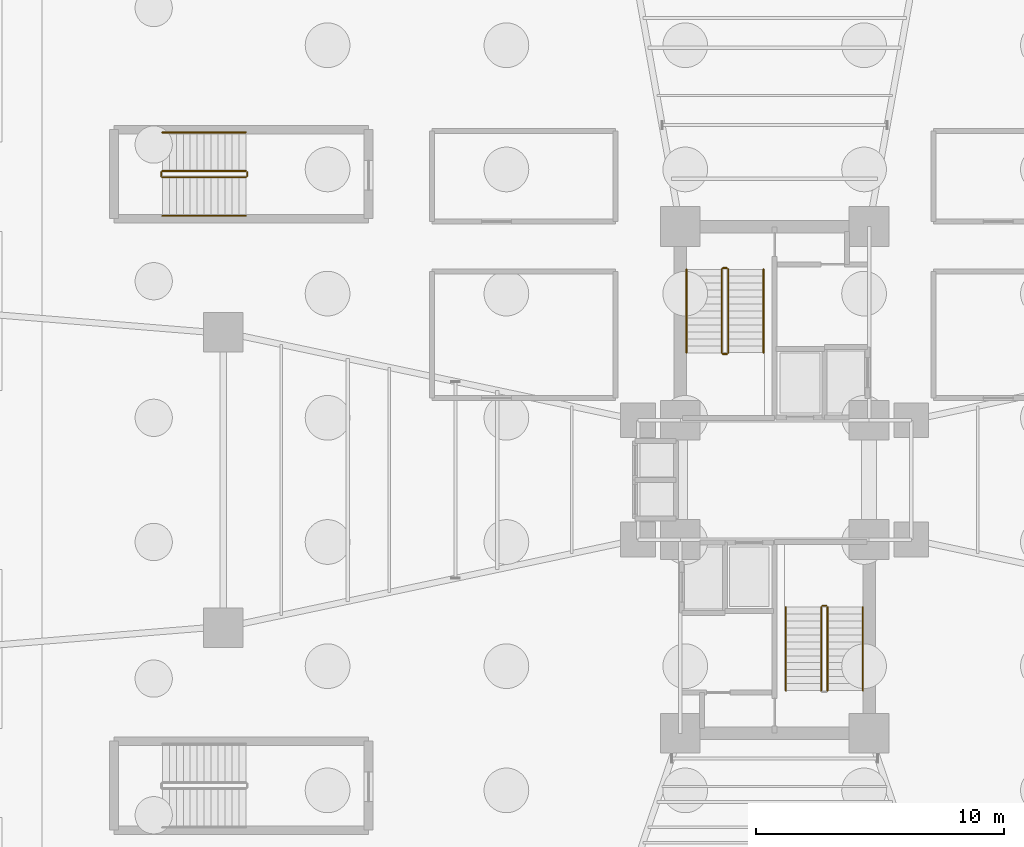
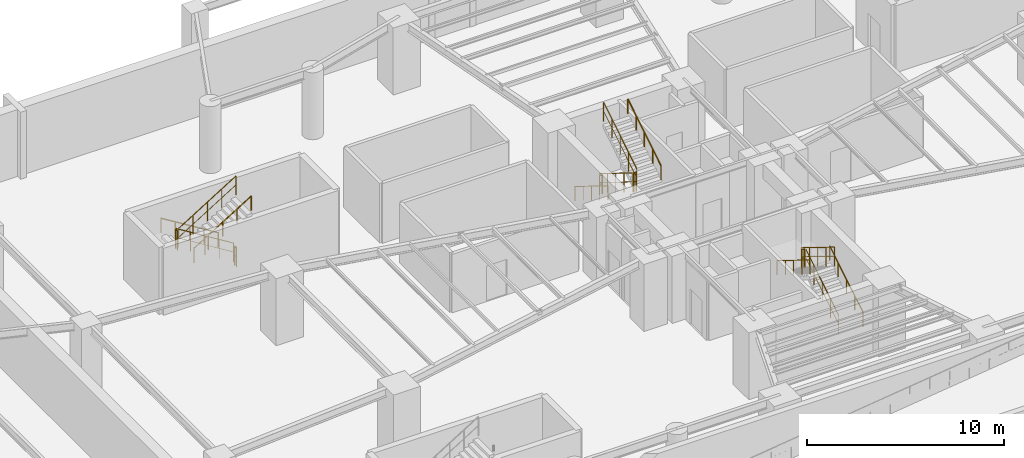
# One storey, part 13 of 15: 17 railings.
"""IFC4 building model written with IfcOpenShell, lengths in metres."""

import ifcopenshell
import ifcopenshell.guid

model = None  # the IFC model being written
_history = None  # IfcOwnerHistory: only IFC2X3 demands one
_inside = {}  # id of a spatial element -> (the spatial element, [elements in it])
_under = {}  # id of a project, library or spatial element -> (it, [spatial elements below it])
_declared = {}  # id of a project -> (the project, [libraries it declares])
_typed = {}  # id of a type object -> (the type object, [elements of that type])
_made_of = {}  # id of a material, layer set ... -> (it, [elements and type objects made of it])


def new_model(schema):
    """Start an empty IFC model of exactly this schema.

    Asked for "IFC4X3", IfcOpenShell would pick the latest addendum, in which some entities
    have other attributes; the version numbers below select the first issue.
    IFC2X3 requires an IfcOwnerHistory on every rooted entity: one is made here for all.
    """
    global model, _history
    if schema == "IFC4X3":
        model = ifcopenshell.file(schema_version=(4, 3, 0, 0))
    else:
        model = ifcopenshell.file(schema=schema)
    _inside.clear()
    _under.clear()
    _declared.clear()
    _typed.clear()
    _made_of.clear()
    _history = None
    if model.schema == "IFC2X3":
        org = make("IfcOrganization", Name="unknown")
        user = make(
            "IfcPersonAndOrganization",
            ThePerson=make("IfcPerson", FamilyName="unknown"),
            TheOrganization=org,
        )
        app = make(
            "IfcApplication",
            ApplicationDeveloper=org,
            Version="unknown",
            ApplicationFullName="unknown",
            ApplicationIdentifier="unknown",
        )
        _history = make(
            "IfcOwnerHistory",
            OwningUser=user,
            OwningApplication=app,
            ChangeAction="ADDED",
            CreationDate=0,
        )
    return model


def make(cls, **values):
    """One entity of the class cls with the attributes given. An attribute that is None is left unset."""
    return model.create_entity(
        cls, **{name: value for name, value in values.items() if value is not None}
    )


def rooted(cls, **values):
    """An entity with a GlobalId (a new one), such as an element, a storey or a relation."""
    return make(cls, GlobalId=ifcopenshell.guid.new(), OwnerHistory=_history, **values)


def si_unit(unit_type, name, prefix=None):
    """IfcSIUnit, for example si_unit("LENGTHUNIT", "METRE", prefix="MILLI")."""
    return make("IfcSIUnit", UnitType=unit_type, Prefix=prefix, Name=name)


def assignment(units):
    """IfcUnitAssignment: the units of a project."""
    return None if units is None else make("IfcUnitAssignment", Units=units)


def point(xyz):
    """IfcCartesianPoint."""
    return None if xyz is None else make("IfcCartesianPoint", Coordinates=xyz)


def direction(xyz):
    """IfcDirection."""
    return None if xyz is None else make("IfcDirection", DirectionRatios=xyz)


def frame(location, z_axis=None, x_axis=None):
    """IfcAxis2Placement3D, a coordinate frame: its origin and axes. An axis left out is left unset."""
    return make(
        "IfcAxis2Placement3D",
        Location=point(location),
        Axis=direction(z_axis),
        RefDirection=direction(x_axis),
    )


def frame_2d(location, x_axis=None):
    """IfcAxis2Placement2D, a coordinate frame in the plane: its origin and x axis."""
    return make(
        "IfcAxis2Placement2D", Location=point(location), RefDirection=direction(x_axis)
    )


def origin():
    """The frame at (0, 0, 0) with its axes left unset."""
    return frame((0.0, 0.0, 0.0))


def origin_2d():
    """The frame at (0, 0) in the plane with its x axis left unset."""
    return frame_2d((0.0, 0.0))


def place(relative_to, where):
    """IfcLocalPlacement: puts the frame where relative to a parent placement (None: the world)."""
    return make(
        "IfcLocalPlacement", PlacementRelTo=relative_to, RelativePlacement=where
    )


def context(
    kind, dimensions, precision=None, world=None, true_north=None, identifier=None
):
    """IfcGeometricRepresentationContext, for example the 3D "Model" context."""
    return make(
        "IfcGeometricRepresentationContext",
        ContextIdentifier=identifier,
        ContextType=kind,
        CoordinateSpaceDimension=dimensions,
        Precision=precision,
        WorldCoordinateSystem=world,
        TrueNorth=true_north,
    )


def subcontext(parent, identifier, kind, view, scale=None):
    """IfcGeometricRepresentationSubContext, for example "Body" below "Model"."""
    return make(
        "IfcGeometricRepresentationSubContext",
        ContextIdentifier=identifier,
        ContextType=kind,
        ParentContext=parent,
        TargetScale=scale,
        TargetView=view,
    )


def project(units=None, contexts=None):
    """IfcProject with its units and contexts."""
    return rooted(
        "IfcProject",
        Name="project",
        RepresentationContexts=contexts,
        UnitsInContext=assignment(units),
    )


def spatial(cls, under=None, at=None, **own):
    """A site, building, storey or space (cls), placed at a placement, below another one or the project."""
    s = rooted(cls, ObjectPlacement=at, **own)
    if under is not None:
        _under.setdefault(under.id(), (under, []))[1].append(s)
    return s


def profile(cls, at=None, kind="AREA", **sizes):
    """A parametric profile (cls). Its sizes go by their IFC names, for example OverallWidth=200.0."""
    return make(cls, ProfileType=kind, Position=at, **sizes)


def circle(**sizes):
    """IfcCircleProfileDef."""
    return profile("IfcCircleProfileDef", **sizes)


def extrude(swept, where, along, depth):
    """IfcExtrudedAreaSolid: the profile swept, set in the frame where, extruded along a direction by depth."""
    return make(
        "IfcExtrudedAreaSolid",
        SweptArea=swept,
        Position=where,
        ExtrudedDirection=direction(along),
        Depth=depth,
    )


def shape(context_of_items, identifier, shape_type, items):
    """IfcShapeRepresentation: the items that make up one representation, for example the "Body"."""
    return make(
        "IfcShapeRepresentation",
        ContextOfItems=context_of_items,
        RepresentationIdentifier=identifier,
        RepresentationType=shape_type,
        Items=items,
    )


def material(Name=None, Category=None):
    """IfcMaterial."""
    return make("IfcMaterial", Name=Name, Category=Category)


def made_of(thing, what):
    """Note that an element or type object is made of a material, layer set ...; save() writes the relation."""
    if what is not None:
        _made_of.setdefault(what.id(), (what, []))[1].append(thing)
    return thing


def type_object(cls, material=None, **own):
    """A type object (cls), such as IfcWallType, which elements share."""
    return made_of(rooted(cls, **own), material)


def element(
    cls,
    number,
    at=None,
    inside=None,
    cuts=None,
    type_object=None,
    material=None,
    context=None,
    identifier="Body",
    shape_type=None,
    held_by="IfcProductDefinitionShape",
    body=None,
    shapes=None,
    **own,
):
    """One element of the class cls, such as IfcWall. Its Tag is "e" and its number.

    at: its placement. inside: the storey or other place that contains it. cuts: it is an
    opening in that element (IfcRelVoidsElement). A single representation is given by context,
    identifier, shape_type and body (its items); several are given by shapes. held_by: the class
    of the entity that holds the representations. save() writes the other relations.
    """
    e = rooted(cls, Tag="e%d" % number, ObjectPlacement=at, **own)
    if body is not None:
        shapes = [shape(context, identifier, shape_type, body)]
    if shapes is not None:
        e.Representation = make(held_by, Representations=shapes)
    if inside is not None:
        _inside.setdefault(inside.id(), (inside, []))[1].append(e)
    if cuts is not None:
        rooted(
            "IfcRelVoidsElement", RelatingBuildingElement=cuts, RelatedOpeningElement=e
        )
    if type_object is not None:
        _typed.setdefault(type_object.id(), (type_object, []))[1].append(e)
    return made_of(e, material)


def aggregate(whole, parts):
    """IfcRelAggregates: a whole, such as a stair, and the parts it consists of."""
    return rooted("IfcRelAggregates", RelatingObject=whole, RelatedObjects=parts)


def save(model, path):
    """Write the relations noted so far, then the file.

    IfcRelAggregates (storeys below a building ...), IfcRelContainedInSpatialStructure (elements
    in a storey), IfcRelDefinesByType, IfcRelAssociatesMaterial and IfcRelDeclares: one each for
    every whole, place, type object, material and project.
    """
    for whole, parts in _under.values():
        aggregate(whole, parts)
    for where, things in _inside.values():
        rooted(
            "IfcRelContainedInSpatialStructure",
            RelatedElements=things,
            RelatingStructure=where,
        )
    for kind, things in _typed.values():
        rooted("IfcRelDefinesByType", RelatedObjects=things, RelatingType=kind)
    for what, things in _made_of.values():
        rooted("IfcRelAssociatesMaterial", RelatedObjects=things, RelatingMaterial=what)
    for by, libraries in _declared.values():
        rooted("IfcRelDeclares", RelatingContext=by, RelatedDefinitions=libraries)
    model.write(path)


model = new_model("IFC4")

# Units and contexts
model_context = context("Model", 3, precision=1e-05, world=origin(), true_north=direction((0.0, 1.0)))
body_context = subcontext(model_context, "Body", "Model", "MODEL_VIEW")
ifc_project = project(units=[si_unit("LENGTHUNIT", "METRE"), si_unit("AREAUNIT", "SQUARE_METRE"), si_unit("VOLUMEUNIT", "CUBIC_METRE"), si_unit("PLANEANGLEUNIT", "RADIAN"), si_unit("MASSUNIT", "GRAM", prefix="KILO")], contexts=[model_context])

# Site, building, storey
site_placement = place(None, origin())
site = spatial("IfcSite", under=ifc_project, at=site_placement, CompositionType="ELEMENT")
building_placement = place(site_placement, origin())
building = spatial("IfcBuilding", under=site, at=building_placement, Name="Sahyath Konkavel Grand Hotel", CompositionType="ELEMENT")
storey_placement = place(building_placement, frame((0.0, 0.0, -9.0)))
storey = spatial("IfcBuildingStorey", under=building, at=storey_placement, Name="B2", CompositionType="ELEMENT", Elevation=-9.0)

# Railings
ifc_material_1 = material(Name="Steel E350", Category="steel")
railing_type_1 = type_object("IfcRailingType", Name="RLG-STAIR-GRD", PredefinedType="GUARDRAIL", material=ifc_material_1)
railing_1_placement = place(storey_placement, frame((-2.1298828125, 8.47998046875, 0.173095703125)))
element("IfcRailing", 1, at=railing_1_placement, inside=storey, type_object=railing_type_1, Name="B2 ST-1 stair guard 1", PredefinedType="GUARDRAIL", context=body_context, shape_type="SweptSolid", body=[
    extrude(circle(Radius=0.02392578125, at=origin_2d()), frame((0.0, -0.001708984375, 1.177001953125), z_axis=(0.0, -0.850606129759, 0.525803396734), x_axis=(1.0, 0.0, 0.0)), (0.0, 0.0, 1.0), 3.946044921875),
    extrude(circle(Radius=0.01416015625, at=origin_2d()), frame((0.0, -0.001708984375, 0.625), z_axis=(0.0, -0.850606129759, 0.525803396734), x_axis=(1.0, 0.0, 0.0)), (0.0, 0.0, 1.0), 3.946044921875),
    extrude(circle(Radius=0.02099609375, at=origin_2d()), origin(), (0.0, 0.0, 1.0), 1.15185546875),
    extrude(circle(Radius=0.02099609375, at=origin_2d()), frame((0.0, -0.83984375, 0.519287109375)), (0.0, 0.0, 1.0), 1.15185546875),
    extrude(circle(Radius=0.02099609375, at=origin_2d()), frame((0.0, -1.679931640625, 1.03857421875)), (0.0, 0.0, 1.0), 1.15185546875),
    extrude(circle(Radius=0.02099609375, at=origin_2d()), frame((0.0, -2.52001953125, 1.5576171875)), (0.0, 0.0, 1.0), 1.15185546875),
    extrude(circle(Radius=0.02099609375, at=origin_2d()), frame((0.0, -3.35986328125, 2.076904296875)), (0.0, 0.0, 1.0), 1.15185546875),
])
railing_2_placement = place(storey_placement, frame((-2.080078125, 5.070068359375, 2.25)))
element("IfcRailing", 2, at=railing_2_placement, inside=storey, type_object=railing_type_1, Name="B2 ST-1 stair guard 2", PredefinedType="GUARDRAIL", context=body_context, shape_type="SweptSolid", body=[
    extrude(circle(Radius=0.02392578125, at=origin_2d()), frame((0.001953125, 0.0, 1.17578125), z_axis=(1.0, 0.0, 0.0), x_axis=(0.0, 1.0, 0.0)), (0.0, 0.0, 1.0), 0.15625),
    extrude(circle(Radius=0.01416015625, at=origin_2d()), frame((0.001953125, 0.0, 0.6240234375), z_axis=(1.0, 0.0, 0.0), x_axis=(0.0, 1.0, 0.0)), (0.0, 0.0, 1.0), 0.15625),
    extrude(circle(Radius=0.02099609375, at=origin_2d()), origin(), (0.0, 0.0, 1.0), 1.15185546875),
    extrude(circle(Radius=0.02099609375, at=origin_2d()), frame((0.16015625, 0.0, 0.0)), (0.0, 0.0, 1.0), 1.15185546875),
])
railing_3_placement = place(storey_placement, frame((-1.8701171875, 5.1201171875, 2.423095703125)))
element("IfcRailing", 3, at=railing_3_placement, inside=storey, type_object=railing_type_1, Name="B2 ST-1 stair guard 3", PredefinedType="GUARDRAIL", context=body_context, shape_type="SweptSolid", body=[
    extrude(circle(Radius=0.02392578125, at=origin_2d()), frame((0.0, 0.001708984375, 1.177001953125), z_axis=(0.0, 0.850606129759, 0.525803396734), x_axis=(-1.0, 0.0, 0.0)), (0.0, 0.0, 1.0), 3.946044921875),
    extrude(circle(Radius=0.01416015625, at=origin_2d()), frame((0.0, 0.001708984375, 0.625), z_axis=(0.0, 0.850606129759, 0.525803396734), x_axis=(-1.0, 0.0, 0.0)), (0.0, 0.0, 1.0), 3.946044921875),
    extrude(circle(Radius=0.02099609375, at=origin_2d()), origin(), (0.0, 0.0, 1.0), 1.15185546875),
    extrude(circle(Radius=0.02099609375, at=origin_2d()), frame((0.0, 0.83984375, 0.519287109375)), (0.0, 0.0, 1.0), 1.15185546875),
    extrude(circle(Radius=0.02099609375, at=origin_2d()), frame((0.0, 1.679931640625, 1.03857421875)), (0.0, 0.0, 1.0), 1.15185546875),
    extrude(circle(Radius=0.02099609375, at=origin_2d()), frame((0.0, 2.52001953125, 1.5576171875)), (0.0, 0.0, 1.0), 1.15185546875),
    extrude(circle(Radius=0.02099609375, at=origin_2d()), frame((0.0, 3.35986328125, 2.076904296875)), (0.0, 0.0, 1.0), 1.15185546875),
])
railing_4_placement = place(storey_placement, frame((-2.080078125, 8.530029296875, 0.0)))
element("IfcRailing", 4, at=railing_4_placement, inside=storey, type_object=railing_type_1, Name="B2 ST-1 stair guard 4", PredefinedType="GUARDRAIL", context=body_context, shape_type="SweptSolid", body=[
    extrude(circle(Radius=0.02392578125, at=origin_2d()), frame((0.001953125, 0.0, 1.17578125), z_axis=(1.0, 0.0, 0.0), x_axis=(0.0, 1.0, 0.0)), (0.0, 0.0, 1.0), 0.15625),
    extrude(circle(Radius=0.01416015625, at=origin_2d()), frame((0.001953125, 0.0, 0.6240234375), z_axis=(1.0, 0.0, 0.0), x_axis=(0.0, 1.0, 0.0)), (0.0, 0.0, 1.0), 0.15625),
    extrude(circle(Radius=0.02099609375, at=origin_2d()), origin(), (0.0, 0.0, 1.0), 1.15185546875),
    extrude(circle(Radius=0.02099609375, at=origin_2d()), frame((0.16015625, 0.0, 0.0)), (0.0, 0.0, 1.0), 1.15185546875),
])
railing_5_placement = place(storey_placement, frame((2.1298828125, -8.47998046875, 0.173095703125)))
element("IfcRailing", 5, at=railing_5_placement, inside=storey, type_object=railing_type_1, Name="B2 ST-2 stair guard 1", PredefinedType="GUARDRAIL", context=body_context, shape_type="SweptSolid", body=[
    extrude(circle(Radius=0.02392578125, at=origin_2d()), frame((0.0, 0.001708984375, 1.177001953125), z_axis=(0.0, 0.850606129759, 0.525803396734), x_axis=(-1.0, 0.0, 0.0)), (0.0, 0.0, 1.0), 3.946044921875),
    extrude(circle(Radius=0.01416015625, at=origin_2d()), frame((0.0, 0.001708984375, 0.625), z_axis=(0.0, 0.850606129759, 0.525803396734), x_axis=(-1.0, 0.0, 0.0)), (0.0, 0.0, 1.0), 3.946044921875),
    extrude(circle(Radius=0.02099609375, at=origin_2d()), origin(), (0.0, 0.0, 1.0), 1.15185546875),
    extrude(circle(Radius=0.02099609375, at=origin_2d()), frame((0.0, 0.83984375, 0.519287109375)), (0.0, 0.0, 1.0), 1.15185546875),
    extrude(circle(Radius=0.02099609375, at=origin_2d()), frame((0.0, 1.679931640625, 1.03857421875)), (0.0, 0.0, 1.0), 1.15185546875),
    extrude(circle(Radius=0.02099609375, at=origin_2d()), frame((0.0, 2.52001953125, 1.5576171875)), (0.0, 0.0, 1.0), 1.15185546875),
    extrude(circle(Radius=0.02099609375, at=origin_2d()), frame((0.0, 3.35986328125, 2.076904296875)), (0.0, 0.0, 1.0), 1.15185546875),
])
railing_6_placement = place(storey_placement, frame((2.080078125, -5.070068359375, 2.25)))
element("IfcRailing", 6, at=railing_6_placement, inside=storey, type_object=railing_type_1, Name="B2 ST-2 stair guard 2", PredefinedType="GUARDRAIL", context=body_context, shape_type="SweptSolid", body=[
    extrude(circle(Radius=0.02392578125, at=origin_2d()), frame((-0.001953125, 0.0, 1.17578125), z_axis=(-1.0, 0.0, 0.0), x_axis=(0.0, -1.0, 0.0)), (0.0, 0.0, 1.0), 0.15625),
    extrude(circle(Radius=0.01416015625, at=origin_2d()), frame((-0.001953125, 0.0, 0.6240234375), z_axis=(-1.0, 0.0, 0.0), x_axis=(0.0, -1.0, 0.0)), (0.0, 0.0, 1.0), 0.15625),
    extrude(circle(Radius=0.02099609375, at=origin_2d()), origin(), (0.0, 0.0, 1.0), 1.15185546875),
    extrude(circle(Radius=0.02099609375, at=origin_2d()), frame((-0.16015625, 0.0, 0.0)), (0.0, 0.0, 1.0), 1.15185546875),
])
railing_7_placement = place(storey_placement, frame((1.8701171875, -5.1201171875, 2.423095703125)))
element("IfcRailing", 7, at=railing_7_placement, inside=storey, type_object=railing_type_1, Name="B2 ST-2 stair guard 3", PredefinedType="GUARDRAIL", context=body_context, shape_type="SweptSolid", body=[
    extrude(circle(Radius=0.02392578125, at=origin_2d()), frame((0.0, -0.001708984375, 1.177001953125), z_axis=(0.0, -0.850606129759, 0.525803396734), x_axis=(1.0, 0.0, 0.0)), (0.0, 0.0, 1.0), 3.946044921875),
    extrude(circle(Radius=0.01416015625, at=origin_2d()), frame((0.0, -0.001708984375, 0.625), z_axis=(0.0, -0.850606129759, 0.525803396734), x_axis=(1.0, 0.0, 0.0)), (0.0, 0.0, 1.0), 3.946044921875),
    extrude(circle(Radius=0.02099609375, at=origin_2d()), origin(), (0.0, 0.0, 1.0), 1.15185546875),
    extrude(circle(Radius=0.02099609375, at=origin_2d()), frame((0.0, -0.83984375, 0.519287109375)), (0.0, 0.0, 1.0), 1.15185546875),
    extrude(circle(Radius=0.02099609375, at=origin_2d()), frame((0.0, -1.679931640625, 1.03857421875)), (0.0, 0.0, 1.0), 1.15185546875),
    extrude(circle(Radius=0.02099609375, at=origin_2d()), frame((0.0, -2.52001953125, 1.5576171875)), (0.0, 0.0, 1.0), 1.15185546875),
    extrude(circle(Radius=0.02099609375, at=origin_2d()), frame((0.0, -3.35986328125, 2.076904296875)), (0.0, 0.0, 1.0), 1.15185546875),
])
railing_8_placement = place(storey_placement, frame((-21.2900390625, 12.43994140625, 0.173095703125)))
element("IfcRailing", 8, at=railing_8_placement, inside=storey, type_object=railing_type_1, Name="B2 ST-P1 stair guard 1", PredefinedType="GUARDRAIL", context=body_context, shape_type="SweptSolid", body=[
    extrude(circle(Radius=0.02392578125, at=origin_2d()), frame((-0.001708984375, 0.0, 1.177001953125), z_axis=(-0.850606129759, 0.0, 0.525803396734), x_axis=(0.0, -1.0, 0.0)), (0.0, 0.0, 1.0), 3.946044921875),
    extrude(circle(Radius=0.01416015625, at=origin_2d()), frame((-0.001708984375, 0.0, 0.625), z_axis=(-0.850606129759, 0.0, 0.525803396734), x_axis=(0.0, -1.0, 0.0)), (0.0, 0.0, 1.0), 3.946044921875),
    extrude(circle(Radius=0.02099609375, at=origin_2d()), origin(), (0.0, 0.0, 1.0), 1.15185546875),
    extrude(circle(Radius=0.02099609375, at=origin_2d()), frame((-0.83984375, 0.0, 0.519287109375)), (0.0, 0.0, 1.0), 1.15185546875),
    extrude(circle(Radius=0.02099609375, at=origin_2d()), frame((-1.679931640625, 0.0, 1.03857421875)), (0.0, 0.0, 1.0), 1.15185546875),
    extrude(circle(Radius=0.02099609375, at=origin_2d()), frame((-2.52001953125, 0.0, 1.5576171875)), (0.0, 0.0, 1.0), 1.15185546875),
    extrude(circle(Radius=0.02099609375, at=origin_2d()), frame((-3.35986328125, 0.0, 2.076904296875)), (0.0, 0.0, 1.0), 1.15185546875),
])
railing_9_placement = place(storey_placement, frame((-24.699951171875, 12.389892578125, 2.25)))
element("IfcRailing", 9, at=railing_9_placement, inside=storey, type_object=railing_type_1, Name="B2 ST-P1 stair guard 2", PredefinedType="GUARDRAIL", context=body_context, shape_type="SweptSolid", body=[
    extrude(circle(Radius=0.02392578125, at=origin_2d()), frame((0.0, -0.001953125, 1.17578125), z_axis=(0.0, -1.0, 0.0), x_axis=(1.0, 0.0, 0.0)), (0.0, 0.0, 1.0), 0.156005859375),
    extrude(circle(Radius=0.01416015625, at=origin_2d()), frame((0.0, -0.001953125, 0.6240234375), z_axis=(0.0, -1.0, 0.0), x_axis=(1.0, 0.0, 0.0)), (0.0, 0.0, 1.0), 0.156005859375),
    extrude(circle(Radius=0.02099609375, at=origin_2d()), origin(), (0.0, 0.0, 1.0), 1.15185546875),
    extrude(circle(Radius=0.02099609375, at=origin_2d()), frame((0.0, -0.159912109375, 0.0)), (0.0, 0.0, 1.0), 1.15185546875),
])
railing_10_placement = place(storey_placement, frame((-24.64990234375, 12.179931640625, 2.423095703125)))
element("IfcRailing", 10, at=railing_10_placement, inside=storey, type_object=railing_type_1, Name="B2 ST-P1 stair guard 3", PredefinedType="GUARDRAIL", context=body_context, shape_type="SweptSolid", body=[
    extrude(circle(Radius=0.02392578125, at=origin_2d()), frame((0.001708984375, 0.0, 1.177001953125), z_axis=(0.850606129759, 0.0, 0.525803396734), x_axis=(0.0, 1.0, 0.0)), (0.0, 0.0, 1.0), 3.946044921875),
    extrude(circle(Radius=0.01416015625, at=origin_2d()), frame((0.001708984375, 0.0, 0.625), z_axis=(0.850606129759, 0.0, 0.525803396734), x_axis=(0.0, 1.0, 0.0)), (0.0, 0.0, 1.0), 3.946044921875),
    extrude(circle(Radius=0.02099609375, at=origin_2d()), origin(), (0.0, 0.0, 1.0), 1.15185546875),
    extrude(circle(Radius=0.02099609375, at=origin_2d()), frame((0.83984375, 0.0, 0.519287109375)), (0.0, 0.0, 1.0), 1.15185546875),
    extrude(circle(Radius=0.02099609375, at=origin_2d()), frame((1.679931640625, 0.0, 1.03857421875)), (0.0, 0.0, 1.0), 1.15185546875),
    extrude(circle(Radius=0.02099609375, at=origin_2d()), frame((2.52001953125, 0.0, 1.5576171875)), (0.0, 0.0, 1.0), 1.15185546875),
    extrude(circle(Radius=0.02099609375, at=origin_2d()), frame((3.35986328125, 0.0, 2.076904296875)), (0.0, 0.0, 1.0), 1.15185546875),
])
railing_11_placement = place(storey_placement, frame((-21.239990234375, 12.389892578125, 0.0)))
element("IfcRailing", 11, at=railing_11_placement, inside=storey, type_object=railing_type_1, Name="B2 ST-P1 stair guard 4", PredefinedType="GUARDRAIL", context=body_context, shape_type="SweptSolid", body=[
    extrude(circle(Radius=0.02392578125, at=origin_2d()), frame((0.0, -0.001953125, 1.17578125), z_axis=(0.0, -1.0, 0.0), x_axis=(1.0, 0.0, 0.0)), (0.0, 0.0, 1.0), 0.156005859375),
    extrude(circle(Radius=0.01416015625, at=origin_2d()), frame((0.0, -0.001953125, 0.6240234375), z_axis=(0.0, -1.0, 0.0), x_axis=(1.0, 0.0, 0.0)), (0.0, 0.0, 1.0), 0.156005859375),
    extrude(circle(Radius=0.02099609375, at=origin_2d()), origin(), (0.0, 0.0, 1.0), 1.15185546875),
    extrude(circle(Radius=0.02099609375, at=origin_2d()), frame((0.0, -0.159912109375, 0.0)), (0.0, 0.0, 1.0), 1.15185546875),
])
ifc_material_2 = material(Name="Anodised Bronze Aluminium", Category="aluminium")
railing_type_2 = type_object("IfcRailingType", Name="RLG-STAIR-HND", PredefinedType="HANDRAIL", material=ifc_material_2)
railing_12_placement = place(storey_placement, frame((-3.550048828125, 8.47998046875, 0.173095703125)))
element("IfcRailing", 12, at=railing_12_placement, inside=storey, type_object=railing_type_2, Name="B2 ST-1 stair handrail 1", PredefinedType="HANDRAIL", context=body_context, shape_type="SweptSolid", body=[
    extrude(circle(Radius=0.02392578125, at=origin_2d()), frame((0.0, -0.001708984375, 0.876953125), z_axis=(0.0, -0.850606129759, 0.525803396734), x_axis=(1.0, 0.0, 0.0)), (0.0, 0.0, 1.0), 3.946044921875),
    extrude(circle(Radius=0.02099609375, at=origin_2d()), origin(), (0.0, 0.0, 1.0), 0.851806640625),
    extrude(circle(Radius=0.02099609375, at=origin_2d()), frame((0.0, -0.83984375, 0.519287109375)), (0.0, 0.0, 1.0), 0.851806640625),
    extrude(circle(Radius=0.02099609375, at=origin_2d()), frame((0.0, -1.679931640625, 1.03857421875)), (0.0, 0.0, 1.0), 0.851806640625),
    extrude(circle(Radius=0.02099609375, at=origin_2d()), frame((0.0, -2.52001953125, 1.5576171875)), (0.0, 0.0, 1.0), 0.851806640625),
    extrude(circle(Radius=0.02099609375, at=origin_2d()), frame((0.0, -3.35986328125, 2.076904296875)), (0.0, 0.0, 1.0), 0.851806640625),
])
for number, where, name in (
    (13, (-0.449951171875, 5.1201171875, 2.423095703125), "B2 ST-1 stair handrail 2"),
    (14, (3.550048828125, -8.47998046875, 0.173095703125), "B2 ST-2 stair handrail 1"),
):
    element("IfcRailing", number, at=place(storey_placement, frame(where)), inside=storey, type_object=railing_type_2, Name=name, PredefinedType="HANDRAIL", context=body_context, shape_type="SweptSolid", body=[
        extrude(circle(Radius=0.02392578125, at=origin_2d()), frame((0.0, 0.001708984375, 0.876953125), z_axis=(0.0, 0.850606129759, 0.525803396734), x_axis=(-1.0, 0.0, 0.0)), (0.0, 0.0, 1.0), 3.946044921875),
        extrude(circle(Radius=0.02099609375, at=origin_2d()), origin(), (0.0, 0.0, 1.0), 0.851806640625),
        extrude(circle(Radius=0.02099609375, at=origin_2d()), frame((0.0, 0.83984375, 0.519287109375)), (0.0, 0.0, 1.0), 0.851806640625),
        extrude(circle(Radius=0.02099609375, at=origin_2d()), frame((0.0, 1.679931640625, 1.03857421875)), (0.0, 0.0, 1.0), 0.851806640625),
        extrude(circle(Radius=0.02099609375, at=origin_2d()), frame((0.0, 2.52001953125, 1.5576171875)), (0.0, 0.0, 1.0), 0.851806640625),
        extrude(circle(Radius=0.02099609375, at=origin_2d()), frame((0.0, 3.35986328125, 2.076904296875)), (0.0, 0.0, 1.0), 0.851806640625),
    ])
railing_13_placement = place(storey_placement, frame((0.449951171875, -5.1201171875, 2.423095703125)))
element("IfcRailing", 15, at=railing_13_placement, inside=storey, type_object=railing_type_2, Name="B2 ST-2 stair handrail 2", PredefinedType="HANDRAIL", context=body_context, shape_type="SweptSolid", body=[
    extrude(circle(Radius=0.02392578125, at=origin_2d()), frame((0.0, -0.001708984375, 0.876953125), z_axis=(0.0, -0.850606129759, 0.525803396734), x_axis=(1.0, 0.0, 0.0)), (0.0, 0.0, 1.0), 3.946044921875),
    extrude(circle(Radius=0.02099609375, at=origin_2d()), origin(), (0.0, 0.0, 1.0), 0.851806640625),
    extrude(circle(Radius=0.02099609375, at=origin_2d()), frame((0.0, -0.83984375, 0.519287109375)), (0.0, 0.0, 1.0), 0.851806640625),
    extrude(circle(Radius=0.02099609375, at=origin_2d()), frame((0.0, -1.679931640625, 1.03857421875)), (0.0, 0.0, 1.0), 0.851806640625),
    extrude(circle(Radius=0.02099609375, at=origin_2d()), frame((0.0, -2.52001953125, 1.5576171875)), (0.0, 0.0, 1.0), 0.851806640625),
    extrude(circle(Radius=0.02099609375, at=origin_2d()), frame((0.0, -3.35986328125, 2.076904296875)), (0.0, 0.0, 1.0), 0.851806640625),
])
railing_14_placement = place(storey_placement, frame((-21.2900390625, 13.989990234375, 0.173095703125)))
element("IfcRailing", 16, at=railing_14_placement, inside=storey, type_object=railing_type_2, Name="B2 ST-P1 stair handrail 1", PredefinedType="HANDRAIL", context=body_context, shape_type="SweptSolid", body=[
    extrude(circle(Radius=0.02392578125, at=origin_2d()), frame((-0.001708984375, 0.0, 0.876953125), z_axis=(-0.850606129759, 0.0, 0.525803396734), x_axis=(0.0, -1.0, 0.0)), (0.0, 0.0, 1.0), 3.946044921875),
    extrude(circle(Radius=0.02099609375, at=origin_2d()), origin(), (0.0, 0.0, 1.0), 0.851806640625),
    extrude(circle(Radius=0.02099609375, at=origin_2d()), frame((-0.83984375, 0.0, 0.519287109375)), (0.0, 0.0, 1.0), 0.851806640625),
    extrude(circle(Radius=0.02099609375, at=origin_2d()), frame((-1.679931640625, 0.0, 1.03857421875)), (0.0, 0.0, 1.0), 0.851806640625),
    extrude(circle(Radius=0.02099609375, at=origin_2d()), frame((-2.52001953125, 0.0, 1.5576171875)), (0.0, 0.0, 1.0), 0.851806640625),
    extrude(circle(Radius=0.02099609375, at=origin_2d()), frame((-3.35986328125, 0.0, 2.076904296875)), (0.0, 0.0, 1.0), 0.851806640625),
])
railing_15_placement = place(storey_placement, frame((-24.64990234375, 10.6298828125, 2.423095703125)))
element("IfcRailing", 17, at=railing_15_placement, inside=storey, type_object=railing_type_2, Name="B2 ST-P1 stair handrail 2", PredefinedType="HANDRAIL", context=body_context, shape_type="SweptSolid", body=[
    extrude(circle(Radius=0.02392578125, at=origin_2d()), frame((0.001708984375, 0.0, 0.876953125), z_axis=(0.850606129759, 0.0, 0.525803396734), x_axis=(0.0, 1.0, 0.0)), (0.0, 0.0, 1.0), 3.946044921875),
    extrude(circle(Radius=0.02099609375, at=origin_2d()), origin(), (0.0, 0.0, 1.0), 0.851806640625),
    extrude(circle(Radius=0.02099609375, at=origin_2d()), frame((0.83984375, 0.0, 0.519287109375)), (0.0, 0.0, 1.0), 0.851806640625),
    extrude(circle(Radius=0.02099609375, at=origin_2d()), frame((1.679931640625, 0.0, 1.03857421875)), (0.0, 0.0, 1.0), 0.851806640625),
    extrude(circle(Radius=0.02099609375, at=origin_2d()), frame((2.52001953125, 0.0, 1.5576171875)), (0.0, 0.0, 1.0), 0.851806640625),
    extrude(circle(Radius=0.02099609375, at=origin_2d()), frame((3.35986328125, 0.0, 2.076904296875)), (0.0, 0.0, 1.0), 0.851806640625),
])

save(model, "model.ifc")
